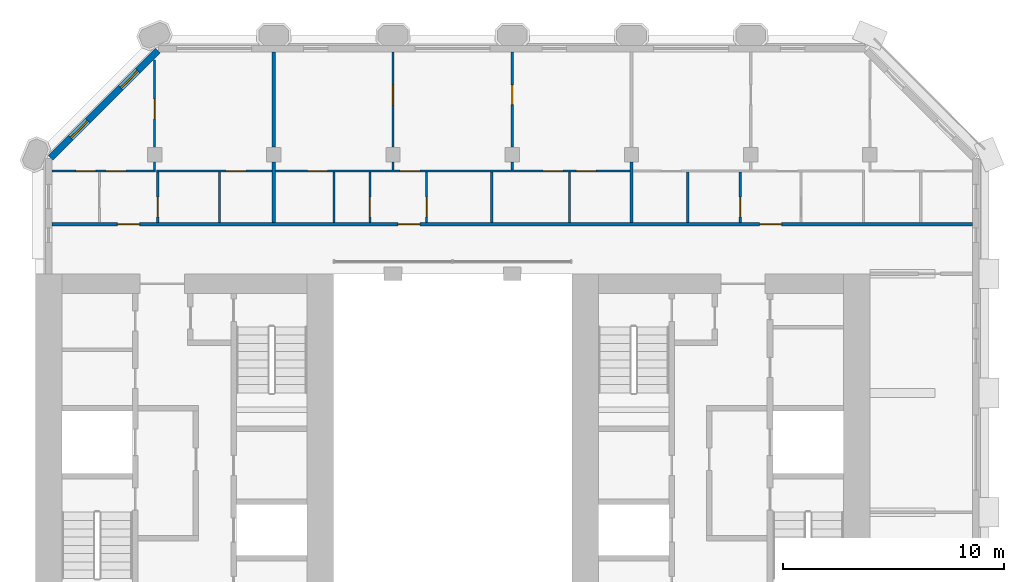
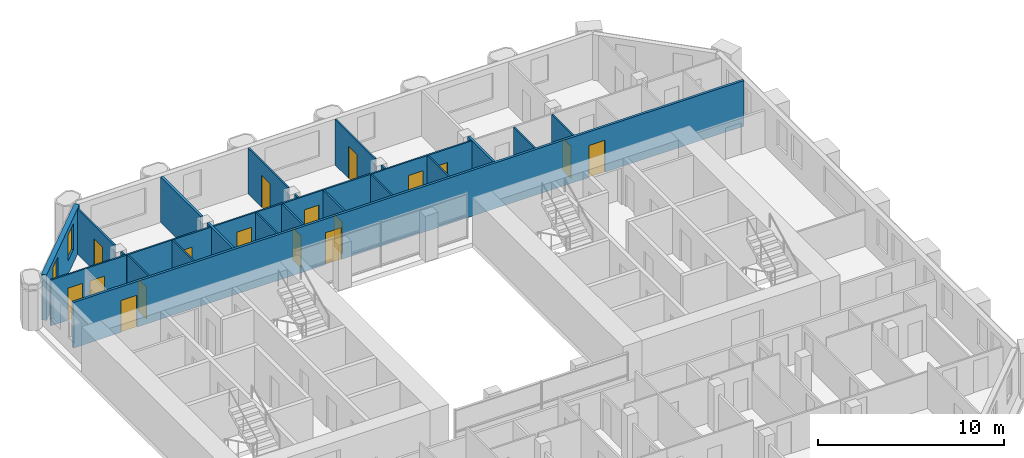
# One storey, part 12 of 16: 23 walls, 17 doors, 2 windows, 19 openings.
"""IFC4 building model written with IfcOpenShell, lengths in metres."""

import ifcopenshell
import ifcopenshell.guid

model = None  # the IFC model being written
_history = None  # IfcOwnerHistory: only IFC2X3 demands one
_inside = {}  # id of a spatial element -> (the spatial element, [elements in it])
_under = {}  # id of a project, library or spatial element -> (it, [spatial elements below it])
_declared = {}  # id of a project -> (the project, [libraries it declares])
_typed = {}  # id of a type object -> (the type object, [elements of that type])
_made_of = {}  # id of a material, layer set ... -> (it, [elements and type objects made of it])


def new_model(schema):
    """Start an empty IFC model of exactly this schema.

    Asked for "IFC4X3", IfcOpenShell would pick the latest addendum, in which some entities
    have other attributes; the version numbers below select the first issue.
    IFC2X3 requires an IfcOwnerHistory on every rooted entity: one is made here for all.
    """
    global model, _history
    if schema == "IFC4X3":
        model = ifcopenshell.file(schema_version=(4, 3, 0, 0))
    else:
        model = ifcopenshell.file(schema=schema)
    _inside.clear()
    _under.clear()
    _declared.clear()
    _typed.clear()
    _made_of.clear()
    _history = None
    if model.schema == "IFC2X3":
        org = make("IfcOrganization", Name="unknown")
        user = make(
            "IfcPersonAndOrganization",
            ThePerson=make("IfcPerson", FamilyName="unknown"),
            TheOrganization=org,
        )
        app = make(
            "IfcApplication",
            ApplicationDeveloper=org,
            Version="unknown",
            ApplicationFullName="unknown",
            ApplicationIdentifier="unknown",
        )
        _history = make(
            "IfcOwnerHistory",
            OwningUser=user,
            OwningApplication=app,
            ChangeAction="ADDED",
            CreationDate=0,
        )
    return model


def make(cls, **values):
    """One entity of the class cls with the attributes given. An attribute that is None is left unset."""
    return model.create_entity(
        cls, **{name: value for name, value in values.items() if value is not None}
    )


def rooted(cls, **values):
    """An entity with a GlobalId (a new one), such as an element, a storey or a relation."""
    return make(cls, GlobalId=ifcopenshell.guid.new(), OwnerHistory=_history, **values)


def si_unit(unit_type, name, prefix=None):
    """IfcSIUnit, for example si_unit("LENGTHUNIT", "METRE", prefix="MILLI")."""
    return make("IfcSIUnit", UnitType=unit_type, Prefix=prefix, Name=name)


def assignment(units):
    """IfcUnitAssignment: the units of a project."""
    return None if units is None else make("IfcUnitAssignment", Units=units)


def point(xyz):
    """IfcCartesianPoint."""
    return None if xyz is None else make("IfcCartesianPoint", Coordinates=xyz)


def direction(xyz):
    """IfcDirection."""
    return None if xyz is None else make("IfcDirection", DirectionRatios=xyz)


def frame(location, z_axis=None, x_axis=None):
    """IfcAxis2Placement3D, a coordinate frame: its origin and axes. An axis left out is left unset."""
    return make(
        "IfcAxis2Placement3D",
        Location=point(location),
        Axis=direction(z_axis),
        RefDirection=direction(x_axis),
    )


def frame_2d(location, x_axis=None):
    """IfcAxis2Placement2D, a coordinate frame in the plane: its origin and x axis."""
    return make(
        "IfcAxis2Placement2D", Location=point(location), RefDirection=direction(x_axis)
    )


def origin():
    """The frame at (0, 0, 0) with its axes left unset."""
    return frame((0.0, 0.0, 0.0))


def place(relative_to, where):
    """IfcLocalPlacement: puts the frame where relative to a parent placement (None: the world)."""
    return make(
        "IfcLocalPlacement", PlacementRelTo=relative_to, RelativePlacement=where
    )


def context(
    kind, dimensions, precision=None, world=None, true_north=None, identifier=None
):
    """IfcGeometricRepresentationContext, for example the 3D "Model" context."""
    return make(
        "IfcGeometricRepresentationContext",
        ContextIdentifier=identifier,
        ContextType=kind,
        CoordinateSpaceDimension=dimensions,
        Precision=precision,
        WorldCoordinateSystem=world,
        TrueNorth=true_north,
    )


def subcontext(parent, identifier, kind, view, scale=None):
    """IfcGeometricRepresentationSubContext, for example "Body" below "Model"."""
    return make(
        "IfcGeometricRepresentationSubContext",
        ContextIdentifier=identifier,
        ContextType=kind,
        ParentContext=parent,
        TargetScale=scale,
        TargetView=view,
    )


def project(units=None, contexts=None):
    """IfcProject with its units and contexts."""
    return rooted(
        "IfcProject",
        Name="project",
        RepresentationContexts=contexts,
        UnitsInContext=assignment(units),
    )


def spatial(cls, under=None, at=None, **own):
    """A site, building, storey or space (cls), placed at a placement, below another one or the project."""
    s = rooted(cls, ObjectPlacement=at, **own)
    if under is not None:
        _under.setdefault(under.id(), (under, []))[1].append(s)
    return s


def profile(cls, at=None, kind="AREA", **sizes):
    """A parametric profile (cls). Its sizes go by their IFC names, for example OverallWidth=200.0."""
    return make(cls, ProfileType=kind, Position=at, **sizes)


def rectangle(**sizes):
    """IfcRectangleProfileDef."""
    return profile("IfcRectangleProfileDef", **sizes)


def extrude(swept, where, along, depth):
    """IfcExtrudedAreaSolid: the profile swept, set in the frame where, extruded along a direction by depth."""
    return make(
        "IfcExtrudedAreaSolid",
        SweptArea=swept,
        Position=where,
        ExtrudedDirection=direction(along),
        Depth=depth,
    )


def shape(context_of_items, identifier, shape_type, items):
    """IfcShapeRepresentation: the items that make up one representation, for example the "Body"."""
    return make(
        "IfcShapeRepresentation",
        ContextOfItems=context_of_items,
        RepresentationIdentifier=identifier,
        RepresentationType=shape_type,
        Items=items,
    )


def material(Name=None, Category=None):
    """IfcMaterial."""
    return make("IfcMaterial", Name=Name, Category=Category)


def layer(
    of_material, thickness, ventilated=None, Name=None, Category=None, Priority=None
):
    """IfcMaterialLayer: one layer of a wall or slab, of a material (None: an air gap)."""
    return make(
        "IfcMaterialLayer",
        Material=of_material,
        LayerThickness=thickness,
        IsVentilated=ventilated,
        Name=Name,
        Category=Category,
        Priority=Priority,
    )


def layer_set(layers, Name=None):
    """IfcMaterialLayerSet."""
    return make("IfcMaterialLayerSet", MaterialLayers=layers, LayerSetName=Name)


def made_of(thing, what):
    """Note that an element or type object is made of a material, layer set ...; save() writes the relation."""
    if what is not None:
        _made_of.setdefault(what.id(), (what, []))[1].append(thing)
    return thing


def type_object(cls, material=None, **own):
    """A type object (cls), such as IfcWallType, which elements share."""
    return made_of(rooted(cls, **own), material)


def element(
    cls,
    number,
    at=None,
    inside=None,
    cuts=None,
    type_object=None,
    material=None,
    context=None,
    identifier="Body",
    shape_type=None,
    held_by="IfcProductDefinitionShape",
    body=None,
    shapes=None,
    **own,
):
    """One element of the class cls, such as IfcWall. Its Tag is "e" and its number.

    at: its placement. inside: the storey or other place that contains it. cuts: it is an
    opening in that element (IfcRelVoidsElement). A single representation is given by context,
    identifier, shape_type and body (its items); several are given by shapes. held_by: the class
    of the entity that holds the representations. save() writes the other relations.
    """
    e = rooted(cls, Tag="e%d" % number, ObjectPlacement=at, **own)
    if body is not None:
        shapes = [shape(context, identifier, shape_type, body)]
    if shapes is not None:
        e.Representation = make(held_by, Representations=shapes)
    if inside is not None:
        _inside.setdefault(inside.id(), (inside, []))[1].append(e)
    if cuts is not None:
        rooted(
            "IfcRelVoidsElement", RelatingBuildingElement=cuts, RelatedOpeningElement=e
        )
    if type_object is not None:
        _typed.setdefault(type_object.id(), (type_object, []))[1].append(e)
    return made_of(e, material)


def fill(opening, filler):
    """IfcRelFillsElement: the door or window that sits in an opening."""
    return rooted(
        "IfcRelFillsElement",
        RelatingOpeningElement=opening,
        RelatedBuildingElement=filler,
    )


def aggregate(whole, parts):
    """IfcRelAggregates: a whole, such as a stair, and the parts it consists of."""
    return rooted("IfcRelAggregates", RelatingObject=whole, RelatedObjects=parts)


def save(model, path):
    """Write the relations noted so far, then the file.

    IfcRelAggregates (storeys below a building ...), IfcRelContainedInSpatialStructure (elements
    in a storey), IfcRelDefinesByType, IfcRelAssociatesMaterial and IfcRelDeclares: one each for
    every whole, place, type object, material and project.
    """
    for whole, parts in _under.values():
        aggregate(whole, parts)
    for where, things in _inside.values():
        rooted(
            "IfcRelContainedInSpatialStructure",
            RelatedElements=things,
            RelatingStructure=where,
        )
    for kind, things in _typed.values():
        rooted("IfcRelDefinesByType", RelatedObjects=things, RelatingType=kind)
    for what, things in _made_of.values():
        rooted("IfcRelAssociatesMaterial", RelatedObjects=things, RelatingMaterial=what)
    for by, libraries in _declared.values():
        rooted("IfcRelDeclares", RelatingContext=by, RelatedDefinitions=libraries)
    model.write(path)


model = new_model("IFC4")

# Units and contexts
model_context = context("Model", 3, precision=1e-05, world=origin(), true_north=direction((0.0, 1.0)))
body_context = subcontext(model_context, "Body", "Model", "MODEL_VIEW")
ifc_project = project(units=[si_unit("LENGTHUNIT", "METRE"), si_unit("AREAUNIT", "SQUARE_METRE"), si_unit("VOLUMEUNIT", "CUBIC_METRE"), si_unit("PLANEANGLEUNIT", "RADIAN"), si_unit("MASSUNIT", "GRAM", prefix="KILO")], contexts=[model_context])

# Site, building, storey
site_placement = place(None, origin())
site = spatial("IfcSite", under=ifc_project, at=site_placement, CompositionType="ELEMENT")
building_placement = place(site_placement, origin())
building = spatial("IfcBuilding", under=site, at=building_placement, Name="Tabaq Tower and Sports Hall", CompositionType="ELEMENT")
storey_placement = place(building_placement, frame((0.0, 0.0, 268.60009765625)))
storey = spatial("IfcBuildingStorey", under=building, at=storey_placement, Name="L65", CompositionType="ELEMENT", Elevation=268.60009765625)

# Wall, openings, doors
ifc_material_1 = material(Name="Gypsum board on steel studs", Category="steel")
ifc_layer_1 = layer(ifc_material_1, 0.10009765625)
ifc_layer_set_1 = layer_set([ifc_layer_1], Name="Partition 100 Gypsum board")
wall_type_1 = type_object("IfcWallType", Name="Partition 100 Gypsum board", PredefinedType="PARTITIONING", material=ifc_layer_set_1)
wall_1_placement = place(storey_placement, frame((6.15087890625, 37.050048828125, 0.0), z_axis=(0.0, 0.0, 1.0), x_axis=(1.0, 0.0, 0.0)))
wall_1 = element("IfcWall", 1, at=wall_1_placement, inside=storey, type_object=wall_type_1, Name="Partition wall L65", PredefinedType="PARTITIONING", context=body_context, shape_type="SweptSolid", body=[
    extrude(rectangle(XDim=4.69921875, YDim=0.10009765625, at=frame_2d((2.349609375, 0.0))), origin(), (0.0, 0.0, 1.0), 3.0),
])
opening_1_placement = place(wall_1_placement, frame((1.0791015625, 0.0, 0.0)))
opening_1 = element("IfcOpeningElement", 2, at=opening_1_placement, cuts=wall_1, Name="Opening L65-032", PredefinedType="OPENING", context=body_context, shape_type="SweptSolid", body=[
    extrude(rectangle(XDim=0.89990234375, YDim=2.10009765625, at=frame_2d((0.449951171875, 1.050048828125))), frame((0.0, 0.050048828125, 0.0), z_axis=(0.0, -1.0, 0.0), x_axis=(1.0, 0.0, 0.0)), (0.0, 0.0, 1.0), 0.10009765625),
])
opening_2_placement = place(wall_1_placement, frame((2.448974609375, 0.0, 0.0)))
opening_2 = element("IfcOpeningElement", 3, at=opening_2_placement, cuts=wall_1, Name="Opening L65-050", PredefinedType="OPENING", context=body_context, shape_type="SweptSolid", body=[
    extrude(rectangle(XDim=0.89990234375, YDim=2.10009765625, at=frame_2d((0.449951171875, 1.050048828125))), frame((0.0, 0.050048828125, 0.0), z_axis=(0.0, -1.0, 0.0), x_axis=(1.0, 0.0, 0.0)), (0.0, 0.0, 1.0), 0.10009765625),
])
ifc_material_2 = material(Name="Timber leaf in steel frame", Category="steel")
door_type_1 = type_object("IfcDoorType", Name="Internal door 900 left hand", OperationType="SINGLE_SWING_LEFT", PredefinedType="DOOR", material=ifc_material_2)
door_1_placement = place(opening_1_placement, origin())
door_1 = element("IfcDoor", 4, at=door_1_placement, inside=storey, type_object=door_type_1, Name="Internal door L65-032", OperationType="SINGLE_SWING_LEFT", OverallHeight=2.10009765625, OverallWidth=0.89990234375, PredefinedType="DOOR", context=body_context, shape_type="SweptSolid", body=[
    extrude(rectangle(XDim=0.89990234375, YDim=2.10009765625, at=frame_2d((0.449951171875, 1.050048828125))), frame((0.0, 0.02490234375, 0.0), z_axis=(0.0, -1.0, 0.0), x_axis=(1.0, 0.0, 0.0)), (0.0, 0.0, 1.0), 0.050048828125),
])
fill(opening_1, door_1)
ifc_material_3 = material(Name="Timber leaf in steel frame", Category="steel")
door_type_2 = type_object("IfcDoorType", Name="Internal door 900 right hand", OperationType="SINGLE_SWING_RIGHT", PredefinedType="DOOR", material=ifc_material_3)
door_2_placement = place(opening_2_placement, origin())
door_2 = element("IfcDoor", 5, at=door_2_placement, inside=storey, type_object=door_type_2, Name="Internal door L65-050", OperationType="SINGLE_SWING_RIGHT", OverallHeight=2.10009765625, OverallWidth=0.89990234375, PredefinedType="DOOR", context=body_context, shape_type="SweptSolid", body=[
    extrude(rectangle(XDim=0.89990234375, YDim=2.10009765625, at=frame_2d((0.449951171875, 1.050048828125))), frame((0.0, 0.02490234375, 0.0), z_axis=(0.0, -1.0, 0.0), x_axis=(1.0, 0.0, 0.0)), (0.0, 0.0, 1.0), 0.050048828125),
])
fill(opening_2, door_2)

# Wall
wall_2_placement = place(storey_placement, frame((10.800048828125, 37.10009765625, 0.0), z_axis=(0.0, 0.0, 1.0), x_axis=(0.0, 1.0, 0.0)))
element("IfcWall", 6, at=wall_2_placement, inside=storey, type_object=wall_type_1, Name="Partition wall L65", PredefinedType="PARTITIONING", context=body_context, shape_type="SweptSolid", body=[
    extrude(rectangle(XDim=0.35498046875, YDim=0.10009765625, at=frame_2d((0.177490234375, 0.0))), origin(), (0.0, 0.0, 1.0), 3.0),
])

# Wall, opening, door
wall_3_placement = place(storey_placement, frame((10.800048828125, 38.14501953125, 0.0), z_axis=(0.0, 0.0, 1.0), x_axis=(0.0, 1.0, 0.0)))
wall_3 = element("IfcWall", 7, at=wall_3_placement, inside=storey, type_object=wall_type_1, Name="Partition wall L65", PredefinedType="PARTITIONING", context=body_context, shape_type="SweptSolid", body=[
    extrude(rectangle(XDim=3.94287109375, YDim=0.10009765625, at=frame_2d((1.971435546875, 0.0))), origin(), (0.0, 0.0, 1.0), 3.0),
])
opening_3_placement = place(wall_3_placement, frame((1.273681640625, 0.0, 0.0)))
opening_3 = element("IfcOpeningElement", 8, at=opening_3_placement, cuts=wall_3, Name="Opening L65-031", PredefinedType="OPENING", context=body_context, shape_type="SweptSolid", body=[
    extrude(rectangle(XDim=0.89990234375, YDim=2.10009765625, at=frame_2d((0.449951171875, 1.050048828125))), frame((0.0, 0.050048828125, 0.0), z_axis=(0.0, -1.0, 0.0), x_axis=(1.0, 0.0, 0.0)), (0.0, 0.0, 1.0), 0.10009765625),
])
door_3_placement = place(opening_3_placement, origin())
door_3 = element("IfcDoor", 9, at=door_3_placement, inside=storey, type_object=door_type_2, Name="Internal door L65-031", OperationType="SINGLE_SWING_RIGHT", OverallHeight=2.10009765625, OverallWidth=0.89990234375, PredefinedType="DOOR", context=body_context, shape_type="SweptSolid", body=[
    extrude(rectangle(XDim=0.89990234375, YDim=2.10009765625, at=frame_2d((0.449951171875, 1.050048828125))), frame((0.0, 0.02490234375, 0.0), z_axis=(0.0, -1.0, 0.0), x_axis=(1.0, 0.0, 0.0)), (0.0, 0.0, 1.0), 0.050048828125),
])
fill(opening_3, door_3)

wall_4_placement = place(storey_placement, frame((10.889892578125, 37.050048828125, 0.0), z_axis=(0.0, 0.0, 1.0), x_axis=(1.0, 0.0, 0.0)))
wall_4 = element("IfcWall", 10, at=wall_4_placement, inside=storey, type_object=wall_type_1, Name="Partition wall L65", PredefinedType="PARTITIONING", context=body_context, shape_type="SweptSolid", body=[
    extrude(rectangle(XDim=5.235107421875, YDim=0.10009765625, at=frame_2d((2.61767578125, 0.0))), origin(), (0.0, 0.0, 1.0), 3.0),
])
opening_4_placement = place(wall_4_placement, frame((3.14990234375, 0.0, 0.0)))
opening_4 = element("IfcOpeningElement", 11, at=opening_4_placement, cuts=wall_4, Name="Opening L65-001", PredefinedType="OPENING", context=body_context, shape_type="SweptSolid", body=[
    extrude(rectangle(XDim=0.89990234375, YDim=2.10009765625, at=frame_2d((0.449951171875, 1.050048828125))), frame((0.0, 0.050048828125, 0.0), z_axis=(0.0, -1.0, 0.0), x_axis=(1.0, 0.0, 0.0)), (0.0, 0.0, 1.0), 0.10009765625),
])
door_4_placement = place(opening_4_placement, origin())
door_4 = element("IfcDoor", 12, at=door_4_placement, inside=storey, type_object=door_type_2, Name="Internal door L65-001", OperationType="SINGLE_SWING_RIGHT", OverallHeight=2.10009765625, OverallWidth=0.89990234375, PredefinedType="DOOR", context=body_context, shape_type="SweptSolid", body=[
    extrude(rectangle(XDim=0.89990234375, YDim=2.10009765625, at=frame_2d((0.449951171875, 1.050048828125))), frame((0.0, 0.02490234375, 0.0), z_axis=(0.0, -1.0, 0.0), x_axis=(1.0, 0.0, 0.0)), (0.0, 0.0, 1.0), 0.050048828125),
])
fill(opening_4, door_4)

wall_5_placement = place(storey_placement, frame((10.93994140625, 34.72509765625, 0.0), z_axis=(0.0, 0.0, 1.0), x_axis=(0.0, 1.0, 0.0)))
wall_5 = element("IfcWall", 13, at=wall_5_placement, inside=storey, type_object=wall_type_1, Name="Partition wall L65", PredefinedType="PARTITIONING", context=body_context, shape_type="SweptSolid", body=[
    extrude(rectangle(XDim=2.27490234375, YDim=0.10009765625, at=frame_2d((1.137451171875, 0.0))), origin(), (0.0, 0.0, 1.0), 3.0),
])
opening_5_placement = place(wall_5_placement, frame((0.25, 0.0, 0.0)))
opening_5 = element("IfcOpeningElement", 14, at=opening_5_placement, cuts=wall_5, Name="Opening L65-002", PredefinedType="OPENING", context=body_context, shape_type="SweptSolid", body=[
    extrude(rectangle(XDim=0.89990234375, YDim=2.10009765625, at=frame_2d((0.449951171875, 1.050048828125))), frame((0.0, 0.050048828125, 0.0), z_axis=(0.0, -1.0, 0.0), x_axis=(1.0, 0.0, 0.0)), (0.0, 0.0, 1.0), 0.10009765625),
])
door_5_placement = place(opening_5_placement, origin())
door_5 = element("IfcDoor", 15, at=door_5_placement, inside=storey, type_object=door_type_1, Name="Internal door L65-002", OperationType="SINGLE_SWING_LEFT", OverallHeight=2.10009765625, OverallWidth=0.89990234375, PredefinedType="DOOR", context=body_context, shape_type="SweptSolid", body=[
    extrude(rectangle(XDim=0.89990234375, YDim=2.10009765625, at=frame_2d((0.449951171875, 1.050048828125))), frame((0.0, 0.02490234375, 0.0), z_axis=(0.0, -1.0, 0.0), x_axis=(1.0, 0.0, 0.0)), (0.0, 0.0, 1.0), 0.050048828125),
])
fill(opening_5, door_5)

# Walls
wall_6_placement = place(storey_placement, frame((13.739990234375, 34.72509765625, 0.0), z_axis=(0.0, 0.0, 1.0), x_axis=(0.0, 1.0, 0.0)))
element("IfcWall", 16, at=wall_6_placement, inside=storey, type_object=wall_type_1, Name="Partition wall L65", PredefinedType="PARTITIONING", context=body_context, shape_type="SweptSolid", body=[
    extrude(rectangle(XDim=2.27490234375, YDim=0.10009765625, at=frame_2d((1.137451171875, 0.0))), origin(), (0.0, 0.0, 1.0), 3.0),
])
wall_7_placement = place(storey_placement, frame((21.60009765625, 37.10009765625, 0.0), z_axis=(0.0, 0.0, 1.0), x_axis=(0.0, 1.0, 0.0)))
element("IfcWall", 17, at=wall_7_placement, inside=storey, type_object=wall_type_1, Name="Partition wall L65", PredefinedType="PARTITIONING", context=body_context, shape_type="SweptSolid", body=[
    extrude(rectangle(XDim=0.35498046875, YDim=0.10009765625, at=frame_2d((0.177490234375, 0.0))), origin(), (0.0, 0.0, 1.0), 3.0),
])

# Wall, opening, door
wall_8_placement = place(storey_placement, frame((21.60009765625, 38.14501953125, 0.0), z_axis=(0.0, 0.0, 1.0), x_axis=(0.0, 1.0, 0.0)))
wall_8 = element("IfcWall", 18, at=wall_8_placement, inside=storey, type_object=wall_type_1, Name="Partition wall L65", PredefinedType="PARTITIONING", context=body_context, shape_type="SweptSolid", body=[
    extrude(rectangle(XDim=4.303955078125, YDim=0.10009765625, at=frame_2d((2.15185546875, 0.0))), origin(), (0.0, 0.0, 1.0), 3.0),
])
opening_6_placement = place(wall_8_placement, frame((1.91796875, 0.0, 0.0)))
opening_6 = element("IfcOpeningElement", 19, at=opening_6_placement, cuts=wall_8, Name="Opening L65-034", PredefinedType="OPENING", context=body_context, shape_type="SweptSolid", body=[
    extrude(rectangle(XDim=0.89990234375, YDim=2.10009765625, at=frame_2d((0.449951171875, 1.050048828125))), frame((0.0, 0.050048828125, 0.0), z_axis=(0.0, -1.0, 0.0), x_axis=(1.0, 0.0, 0.0)), (0.0, 0.0, 1.0), 0.10009765625),
])
door_6_placement = place(opening_6_placement, origin())
door_6 = element("IfcDoor", 20, at=door_6_placement, inside=storey, type_object=door_type_2, Name="Internal door L65-034", OperationType="SINGLE_SWING_RIGHT", OverallHeight=2.10009765625, OverallWidth=0.89990234375, PredefinedType="DOOR", context=body_context, shape_type="SweptSolid", body=[
    extrude(rectangle(XDim=0.89990234375, YDim=2.10009765625, at=frame_2d((0.449951171875, 1.050048828125))), frame((0.0, 0.02490234375, 0.0), z_axis=(0.0, -1.0, 0.0), x_axis=(1.0, 0.0, 0.0)), (0.0, 0.0, 1.0), 0.050048828125),
])
fill(opening_6, door_6)

# Wall
wall_9_placement = place(storey_placement, frame((27.0, 37.10009765625, 0.0), z_axis=(0.0, 0.0, 1.0), x_axis=(0.0, 1.0, 0.0)))
element("IfcWall", 21, at=wall_9_placement, inside=storey, type_object=wall_type_1, Name="Partition wall L65", PredefinedType="PARTITIONING", context=body_context, shape_type="SweptSolid", body=[
    extrude(rectangle(XDim=0.35498046875, YDim=0.10009765625, at=frame_2d((0.177490234375, 0.0))), origin(), (0.0, 0.0, 1.0), 3.0),
])

# Wall, opening, door
wall_10_placement = place(storey_placement, frame((27.0, 38.14501953125, 0.0), z_axis=(0.0, 0.0, 1.0), x_axis=(0.0, 1.0, 0.0)))
wall_10 = element("IfcWall", 22, at=wall_10_placement, inside=storey, type_object=wall_type_1, Name="Partition wall L65", PredefinedType="PARTITIONING", context=body_context, shape_type="SweptSolid", body=[
    extrude(rectangle(XDim=4.303955078125, YDim=0.10009765625, at=frame_2d((2.15185546875, 0.0))), origin(), (0.0, 0.0, 1.0), 3.0),
])
opening_7_placement = place(wall_10_placement, frame((1.91796875, 0.0, 0.0)))
opening_7 = element("IfcOpeningElement", 23, at=opening_7_placement, cuts=wall_10, Name="Opening L65-051", PredefinedType="OPENING", context=body_context, shape_type="SweptSolid", body=[
    extrude(rectangle(XDim=0.89990234375, YDim=2.10009765625, at=frame_2d((0.449951171875, 1.050048828125))), frame((0.0, 0.050048828125, 0.0), z_axis=(0.0, -1.0, 0.0), x_axis=(1.0, 0.0, 0.0)), (0.0, 0.0, 1.0), 0.10009765625),
])
door_7_placement = place(opening_7_placement, origin())
door_7 = element("IfcDoor", 24, at=door_7_placement, inside=storey, type_object=door_type_1, Name="Internal door L65-051", OperationType="SINGLE_SWING_LEFT", OverallHeight=2.10009765625, OverallWidth=0.89990234375, PredefinedType="DOOR", context=body_context, shape_type="SweptSolid", body=[
    extrude(rectangle(XDim=0.89990234375, YDim=2.10009765625, at=frame_2d((0.449951171875, 1.050048828125))), frame((0.0, 0.02490234375, 0.0), z_axis=(0.0, -1.0, 0.0), x_axis=(1.0, 0.0, 0.0)), (0.0, 0.0, 1.0), 0.050048828125),
])
fill(opening_7, door_7)

# Wall, openings, doors
wall_11_placement = place(storey_placement, frame((16.27490234375, 37.050048828125, 0.0), z_axis=(0.0, 0.0, 1.0), x_axis=(1.0, 0.0, 0.0)))
wall_11 = element("IfcWall", 25, at=wall_11_placement, inside=storey, type_object=wall_type_1, Name="Partition wall L65", PredefinedType="PARTITIONING", context=body_context, shape_type="SweptSolid", body=[
    extrude(rectangle(XDim=16.050048828125, YDim=0.10009765625, at=frame_2d((8.02490234375, 0.0))), origin(), (0.0, 0.0, 1.0), 3.0),
])
opening_8_placement = place(wall_11_placement, frame((1.452880859375, 0.0, 0.0)))
opening_8 = element("IfcOpeningElement", 26, at=opening_8_placement, cuts=wall_11, Name="Opening L65-003", PredefinedType="OPENING", context=body_context, shape_type="SweptSolid", body=[
    extrude(rectangle(XDim=0.89990234375, YDim=2.10009765625, at=frame_2d((0.449951171875, 1.050048828125))), frame((0.0, 0.050048828125, 0.0), z_axis=(0.0, -1.0, 0.0), x_axis=(1.0, 0.0, 0.0)), (0.0, 0.0, 1.0), 0.10009765625),
])
opening_9_placement = place(wall_11_placement, frame((12.125, 0.0, 0.0)))
opening_9 = element("IfcOpeningElement", 27, at=opening_9_placement, cuts=wall_11, Name="Opening L65-004", PredefinedType="OPENING", context=body_context, shape_type="SweptSolid", body=[
    extrude(rectangle(XDim=0.89990234375, YDim=2.10009765625, at=frame_2d((0.449951171875, 1.050048828125))), frame((0.0, 0.050048828125, 0.0), z_axis=(0.0, -1.0, 0.0), x_axis=(1.0, 0.0, 0.0)), (0.0, 0.0, 1.0), 0.10009765625),
])
opening_10_placement = place(wall_11_placement, frame((13.625, 0.0, 0.0)))
opening_10 = element("IfcOpeningElement", 28, at=opening_10_placement, cuts=wall_11, Name="Opening L65-005", PredefinedType="OPENING", context=body_context, shape_type="SweptSolid", body=[
    extrude(rectangle(XDim=0.89990234375, YDim=2.10009765625, at=frame_2d((0.449951171875, 1.050048828125))), frame((0.0, 0.050048828125, 0.0), z_axis=(0.0, -1.0, 0.0), x_axis=(1.0, 0.0, 0.0)), (0.0, 0.0, 1.0), 0.10009765625),
])
opening_11_placement = place(wall_11_placement, frame((5.64404296875, 0.0, 0.0)))
opening_11 = element("IfcOpeningElement", 29, at=opening_11_placement, cuts=wall_11, Name="Opening L65-052", PredefinedType="OPENING", context=body_context, shape_type="SweptSolid", body=[
    extrude(rectangle(XDim=0.89990234375, YDim=2.10009765625, at=frame_2d((0.449951171875, 1.050048828125))), frame((0.0, 0.050048828125, 0.0), z_axis=(0.0, -1.0, 0.0), x_axis=(1.0, 0.0, 0.0)), (0.0, 0.0, 1.0), 0.10009765625),
])
door_8_placement = place(opening_8_placement, origin())
door_8 = element("IfcDoor", 30, at=door_8_placement, inside=storey, type_object=door_type_1, Name="Internal door L65-003", OperationType="SINGLE_SWING_LEFT", OverallHeight=2.10009765625, OverallWidth=0.89990234375, PredefinedType="DOOR", context=body_context, shape_type="SweptSolid", body=[
    extrude(rectangle(XDim=0.89990234375, YDim=2.10009765625, at=frame_2d((0.449951171875, 1.050048828125))), frame((0.0, 0.02490234375, 0.0), z_axis=(0.0, -1.0, 0.0), x_axis=(1.0, 0.0, 0.0)), (0.0, 0.0, 1.0), 0.050048828125),
])
fill(opening_8, door_8)
door_9_placement = place(opening_10_placement, origin())
door_9 = element("IfcDoor", 31, at=door_9_placement, inside=storey, type_object=door_type_1, Name="Internal door L65-005", OperationType="SINGLE_SWING_LEFT", OverallHeight=2.10009765625, OverallWidth=0.89990234375, PredefinedType="DOOR", context=body_context, shape_type="SweptSolid", body=[
    extrude(rectangle(XDim=0.89990234375, YDim=2.10009765625, at=frame_2d((0.449951171875, 1.050048828125))), frame((0.0, 0.02490234375, 0.0), z_axis=(0.0, -1.0, 0.0), x_axis=(1.0, 0.0, 0.0)), (0.0, 0.0, 1.0), 0.050048828125),
])
fill(opening_10, door_9)
door_10_placement = place(opening_9_placement, origin())
door_10 = element("IfcDoor", 32, at=door_10_placement, inside=storey, type_object=door_type_2, Name="Internal door L65-004", OperationType="SINGLE_SWING_RIGHT", OverallHeight=2.10009765625, OverallWidth=0.89990234375, PredefinedType="DOOR", context=body_context, shape_type="SweptSolid", body=[
    extrude(rectangle(XDim=0.89990234375, YDim=2.10009765625, at=frame_2d((0.449951171875, 1.050048828125))), frame((0.0, 0.02490234375, 0.0), z_axis=(0.0, -1.0, 0.0), x_axis=(1.0, 0.0, 0.0)), (0.0, 0.0, 1.0), 0.050048828125),
])
fill(opening_9, door_10)
door_11_placement = place(opening_11_placement, origin())
door_11 = element("IfcDoor", 33, at=door_11_placement, inside=storey, type_object=door_type_2, Name="Internal door L65-052", OperationType="SINGLE_SWING_RIGHT", OverallHeight=2.10009765625, OverallWidth=0.89990234375, PredefinedType="DOOR", context=body_context, shape_type="SweptSolid", body=[
    extrude(rectangle(XDim=0.89990234375, YDim=2.10009765625, at=frame_2d((0.449951171875, 1.050048828125))), frame((0.0, 0.02490234375, 0.0), z_axis=(0.0, -1.0, 0.0), x_axis=(1.0, 0.0, 0.0)), (0.0, 0.0, 1.0), 0.050048828125),
])
fill(opening_11, door_11)

# Wall
wall_12_placement = place(storey_placement, frame((18.927978515625, 34.72509765625, 0.0), z_axis=(0.0, 0.0, 1.0), x_axis=(0.0, 1.0, 0.0)))
element("IfcWall", 34, at=wall_12_placement, inside=storey, type_object=wall_type_1, Name="Partition wall L65", PredefinedType="PARTITIONING", context=body_context, shape_type="SweptSolid", body=[
    extrude(rectangle(XDim=2.27490234375, YDim=0.10009765625, at=frame_2d((1.137451171875, 0.0))), origin(), (0.0, 0.0, 1.0), 3.0),
])

# Wall, opening, door
wall_13_placement = place(storey_placement, frame((20.551025390625, 34.72509765625, 0.0), z_axis=(0.0, 0.0, 1.0), x_axis=(0.0, 1.0, 0.0)))
wall_13 = element("IfcWall", 35, at=wall_13_placement, inside=storey, type_object=wall_type_1, Name="Partition wall L65", PredefinedType="PARTITIONING", context=body_context, shape_type="SweptSolid", body=[
    extrude(rectangle(XDim=2.27490234375, YDim=0.10009765625, at=frame_2d((1.137451171875, 0.0))), origin(), (0.0, 0.0, 1.0), 3.0),
])
opening_12_placement = place(wall_13_placement, frame((0.25, 0.0, 0.0)))
opening_12 = element("IfcOpeningElement", 36, at=opening_12_placement, cuts=wall_13, Name="Opening L65-006", PredefinedType="OPENING", context=body_context, shape_type="SweptSolid", body=[
    extrude(rectangle(XDim=0.89990234375, YDim=2.10009765625, at=frame_2d((0.449951171875, 1.050048828125))), frame((0.0, 0.050048828125, 0.0), z_axis=(0.0, -1.0, 0.0), x_axis=(1.0, 0.0, 0.0)), (0.0, 0.0, 1.0), 0.10009765625),
])
door_12_placement = place(opening_12_placement, origin())
door_12 = element("IfcDoor", 37, at=door_12_placement, inside=storey, type_object=door_type_2, Name="Internal door L65-006", OperationType="SINGLE_SWING_RIGHT", OverallHeight=2.10009765625, OverallWidth=0.89990234375, PredefinedType="DOOR", context=body_context, shape_type="SweptSolid", body=[
    extrude(rectangle(XDim=0.89990234375, YDim=2.10009765625, at=frame_2d((0.449951171875, 1.050048828125))), frame((0.0, 0.02490234375, 0.0), z_axis=(0.0, -1.0, 0.0), x_axis=(1.0, 0.0, 0.0)), (0.0, 0.0, 1.0), 0.050048828125),
])
fill(opening_12, door_12)

wall_14_placement = place(storey_placement, frame((23.118896484375, 34.72509765625, 0.0), z_axis=(0.0, 0.0, 1.0), x_axis=(0.0, 1.0, 0.0)))
wall_14 = element("IfcWall", 38, at=wall_14_placement, inside=storey, type_object=wall_type_1, Name="Partition wall L65", PredefinedType="PARTITIONING", context=body_context, shape_type="SweptSolid", body=[
    extrude(rectangle(XDim=2.27490234375, YDim=0.10009765625, at=frame_2d((1.137451171875, 0.0))), origin(), (0.0, 0.0, 1.0), 3.0),
])
opening_13_placement = place(wall_14_placement, frame((0.25, 0.0, 0.0)))
opening_13 = element("IfcOpeningElement", 39, at=opening_13_placement, cuts=wall_14, Name="Opening L65-007", PredefinedType="OPENING", context=body_context, shape_type="SweptSolid", body=[
    extrude(rectangle(XDim=0.89990234375, YDim=2.10009765625, at=frame_2d((0.449951171875, 1.050048828125))), frame((0.0, 0.050048828125, 0.0), z_axis=(0.0, -1.0, 0.0), x_axis=(1.0, 0.0, 0.0)), (0.0, 0.0, 1.0), 0.10009765625),
])
door_13_placement = place(opening_13_placement, origin())
door_13 = element("IfcDoor", 40, at=door_13_placement, inside=storey, type_object=door_type_1, Name="Internal door L65-007", OperationType="SINGLE_SWING_LEFT", OverallHeight=2.10009765625, OverallWidth=0.89990234375, PredefinedType="DOOR", context=body_context, shape_type="SweptSolid", body=[
    extrude(rectangle(XDim=0.89990234375, YDim=2.10009765625, at=frame_2d((0.449951171875, 1.050048828125))), frame((0.0, 0.02490234375, 0.0), z_axis=(0.0, -1.0, 0.0), x_axis=(1.0, 0.0, 0.0)), (0.0, 0.0, 1.0), 0.050048828125),
])
fill(opening_13, door_13)

# Walls
for number, where, z_axis, x_axis, name in (
    (41, (26.069091796875, 34.72509765625, 0.0), (0.0, 0.0, 1.0), (0.0, 1.0, 0.0), "Partition wall L65"),
    (42, (29.60009765625, 34.72509765625, 0.0), (0.0, 0.0, 1.0), (0.0, 1.0, 0.0), "Partition wall L65"),
    (43, (34.949951171875, 34.72509765625, 0.0), (0.0, 0.0, 1.0), (0.0, 1.0, 0.0), "Partition wall L65"),
):
    element("IfcWall", number, at=place(storey_placement, frame(where, z_axis=z_axis, x_axis=x_axis)), inside=storey, type_object=wall_type_1, Name=name, PredefinedType="PARTITIONING", context=body_context, shape_type="SweptSolid", body=[
        extrude(rectangle(XDim=2.27490234375, YDim=0.10009765625, at=frame_2d((1.137451171875, 0.0))), origin(), (0.0, 0.0, 1.0), 3.0),
    ])

# Wall, opening, door
wall_15_placement = place(storey_placement, frame((37.330078125, 34.72509765625, 0.0), z_axis=(0.0, 0.0, 1.0), x_axis=(0.0, 1.0, 0.0)))
wall_15 = element("IfcWall", 44, at=wall_15_placement, inside=storey, type_object=wall_type_1, Name="Partition wall L65", PredefinedType="PARTITIONING", context=body_context, shape_type="SweptSolid", body=[
    extrude(rectangle(XDim=2.27490234375, YDim=0.10009765625, at=frame_2d((1.137451171875, 0.0))), origin(), (0.0, 0.0, 1.0), 3.0),
])
opening_14_placement = place(wall_15_placement, frame((0.25, 0.0, 0.0)))
opening_14 = element("IfcOpeningElement", 45, at=opening_14_placement, cuts=wall_15, Name="Opening L65-011", PredefinedType="OPENING", context=body_context, shape_type="SweptSolid", body=[
    extrude(rectangle(XDim=0.89990234375, YDim=2.10009765625, at=frame_2d((0.449951171875, 1.050048828125))), frame((0.0, 0.050048828125, 0.0), z_axis=(0.0, -1.0, 0.0), x_axis=(1.0, 0.0, 0.0)), (0.0, 0.0, 1.0), 0.10009765625),
])
door_14_placement = place(opening_14_placement, origin())
door_14 = element("IfcDoor", 46, at=door_14_placement, inside=storey, type_object=door_type_1, Name="Internal door L65-011", OperationType="SINGLE_SWING_LEFT", OverallHeight=2.10009765625, OverallWidth=0.89990234375, PredefinedType="DOOR", context=body_context, shape_type="SweptSolid", body=[
    extrude(rectangle(XDim=0.89990234375, YDim=2.10009765625, at=frame_2d((0.449951171875, 1.050048828125))), frame((0.0, 0.02490234375, 0.0), z_axis=(0.0, -1.0, 0.0), x_axis=(1.0, 0.0, 0.0)), (0.0, 0.0, 1.0), 0.050048828125),
])
fill(opening_14, door_14)

# Walls
ifc_material_4 = material(Name="Blockwork", Category="masonry")
ifc_layer_2 = layer(ifc_material_4, 0.14990234375)
ifc_layer_set_2 = layer_set([ifc_layer_2], Name="Separating wall 150 Blockwork")
wall_type_2 = type_object("IfcWallType", Name="Separating wall 150 Blockwork", PredefinedType="PARTITIONING", material=ifc_layer_set_2)
wall_16_placement = place(storey_placement, frame((16.199951171875, 38.14501953125, 0.0), z_axis=(0.0, 0.0, 1.0), x_axis=(0.0, 1.0, 0.0)))
element("IfcWall", 47, at=wall_16_placement, inside=storey, type_object=wall_type_2, Name="Separating wall L65", PredefinedType="PARTITIONING", context=body_context, shape_type="SweptSolid", body=[
    extrude(rectangle(XDim=4.303955078125, YDim=0.14990234375, at=frame_2d((2.15185546875, 0.0))), origin(), (0.0, 0.0, 1.0), 3.0),
])
for number, where, z_axis, x_axis, name in (
    (48, (16.199951171875, 34.72509765625, 0.0), (0.0, 0.0, 1.0), (0.0, 1.0, 0.0), "Separating wall L65"),
    (49, (32.39990234375, 34.72509765625, 0.0), (0.0, 0.0, 1.0), (0.0, 1.0, 0.0), "Separating wall L65"),
):
    element("IfcWall", number, at=place(storey_placement, frame(where, z_axis=z_axis, x_axis=x_axis)), inside=storey, type_object=wall_type_2, Name=name, PredefinedType="PARTITIONING", context=body_context, shape_type="SweptSolid", body=[
        extrude(rectangle(XDim=2.72998046875, YDim=0.14990234375, at=frame_2d((1.364990234375, 0.0))), origin(), (0.0, 0.0, 1.0), 3.0),
    ])

# Wall, openings, doors
wall_17_placement = place(storey_placement, frame((6.15087890625, 34.64990234375, 0.0), z_axis=(0.0, 0.0, 1.0), x_axis=(1.0, 0.0, 0.0)))
wall_17 = element("IfcWall", 50, at=wall_17_placement, inside=storey, type_object=wall_type_2, Name="Separating wall L65", PredefinedType="PARTITIONING", context=body_context, shape_type="SweptSolid", body=[
    extrude(rectangle(XDim=41.6982421875, YDim=0.14990234375, at=frame_2d((20.84912109375, 0.0))), origin(), (0.0, 0.0, 1.0), 3.0),
])
opening_15_placement = place(wall_17_placement, frame((2.968994140625, 0.0, 0.0)))
opening_15 = element("IfcOpeningElement", 51, at=opening_15_placement, cuts=wall_17, Name="Opening L65-059", PredefinedType="OPENING", context=body_context, shape_type="SweptSolid", body=[
    extrude(rectangle(XDim=1.0, YDim=2.10009765625, at=frame_2d((0.5, 1.050048828125))), frame((0.0, 0.074951171875, 0.0), z_axis=(0.0, -1.0, 0.0), x_axis=(1.0, 0.0, 0.0)), (0.0, 0.0, 1.0), 0.14990234375),
])
opening_16_placement = place(wall_17_placement, frame((15.66796875, 0.0, 0.0)))
opening_16 = element("IfcOpeningElement", 52, at=opening_16_placement, cuts=wall_17, Name="Opening L65-060", PredefinedType="OPENING", context=body_context, shape_type="SweptSolid", body=[
    extrude(rectangle(XDim=1.0, YDim=2.10009765625, at=frame_2d((0.5, 1.050048828125))), frame((0.0, 0.074951171875, 0.0), z_axis=(0.0, -1.0, 0.0), x_axis=(1.0, 0.0, 0.0)), (0.0, 0.0, 1.0), 0.14990234375),
])
opening_17_placement = place(wall_17_placement, frame((32.053955078125, 0.0, 0.0)))
opening_17 = element("IfcOpeningElement", 53, at=opening_17_placement, cuts=wall_17, Name="Opening L65-061", PredefinedType="OPENING", context=body_context, shape_type="SweptSolid", body=[
    extrude(rectangle(XDim=1.0, YDim=2.10009765625, at=frame_2d((0.5, 1.050048828125))), frame((0.0, 0.074951171875, 0.0), z_axis=(0.0, -1.0, 0.0), x_axis=(1.0, 0.0, 0.0)), (0.0, 0.0, 1.0), 0.14990234375),
])
ifc_material_5 = material(Name="Steel fire door", Category="steel")
door_type_3 = type_object("IfcDoorType", Name="Entrance door 1000 left hand", OperationType="SINGLE_SWING_LEFT", PredefinedType="DOOR", material=ifc_material_5)
door_15_placement = place(opening_16_placement, origin())
door_15 = element("IfcDoor", 54, at=door_15_placement, inside=storey, type_object=door_type_3, Name="Entrance door L65-060", OperationType="SINGLE_SWING_LEFT", OverallHeight=2.10009765625, OverallWidth=1.0, PredefinedType="DOOR", context=body_context, shape_type="SweptSolid", body=[
    extrude(rectangle(XDim=1.0, YDim=2.10009765625, at=frame_2d((0.5, 1.050048828125))), frame((0.0, 0.02490234375, 0.0), z_axis=(0.0, -1.0, 0.0), x_axis=(1.0, 0.0, 0.0)), (0.0, 0.0, 1.0), 0.050048828125),
])
fill(opening_16, door_15)
ifc_material_6 = material(Name="Steel fire door", Category="steel")
door_type_4 = type_object("IfcDoorType", Name="Entrance door 1000 right hand", OperationType="SINGLE_SWING_RIGHT", PredefinedType="DOOR", material=ifc_material_6)
door_16_placement = place(opening_15_placement, origin())
door_16 = element("IfcDoor", 55, at=door_16_placement, inside=storey, type_object=door_type_4, Name="Entrance door L65-059", OperationType="SINGLE_SWING_RIGHT", OverallHeight=2.10009765625, OverallWidth=1.0, PredefinedType="DOOR", context=body_context, shape_type="SweptSolid", body=[
    extrude(rectangle(XDim=1.0, YDim=2.10009765625, at=frame_2d((0.5, 1.050048828125))), frame((0.0, 0.02490234375, 0.0), z_axis=(0.0, -1.0, 0.0), x_axis=(1.0, 0.0, 0.0)), (0.0, 0.0, 1.0), 0.050048828125),
])
fill(opening_15, door_16)
door_17_placement = place(opening_17_placement, origin())
door_17 = element("IfcDoor", 56, at=door_17_placement, inside=storey, type_object=door_type_4, Name="Entrance door L65-061", OperationType="SINGLE_SWING_RIGHT", OverallHeight=2.10009765625, OverallWidth=1.0, PredefinedType="DOOR", context=body_context, shape_type="SweptSolid", body=[
    extrude(rectangle(XDim=1.0, YDim=2.10009765625, at=frame_2d((0.5, 1.050048828125))), frame((0.0, 0.02490234375, 0.0), z_axis=(0.0, -1.0, 0.0), x_axis=(1.0, 0.0, 0.0)), (0.0, 0.0, 1.0), 0.050048828125),
])
fill(opening_17, door_17)

# Wall, openings, windows
ifc_material_7 = material(Name="White precast concrete C60/75", Category="concrete")
ifc_layer_3 = layer(ifc_material_7, 0.300048828125)
ifc_layer_set_3 = layer_set([ifc_layer_3], Name="White precast concrete C60/75 external wall 300")
wall_type_3 = type_object("IfcWallType", Name="White precast concrete C60/75 external wall 300", PredefinedType="SOLIDWALL", material=ifc_layer_set_3)
wall_18_placement = place(storey_placement, frame((10.949462890625, 42.5009765625, 0.0), z_axis=(0.0, 0.0, 1.0), x_axis=(-0.707106781187, -0.707106781187, 0.0)))
wall_18 = element("IfcWall", 57, at=wall_18_placement, inside=storey, type_object=wall_type_3, Name="External Wall L65 NW", PredefinedType="SOLIDWALL", context=body_context, shape_type="SweptSolid", body=[
    extrude(rectangle(XDim=6.85986328125, YDim=0.300048828125, at=frame_2d((3.429931640625, 0.0))), origin(), (0.0, 0.0, 1.0), 3.0),
])
opening_18_placement = place(wall_18_placement, frame((1.27978515625, 0.0, 0.89990234375)))
opening_18 = element("IfcOpeningElement", 58, at=opening_18_placement, cuts=wall_18, Name="Opening W1B", PredefinedType="OPENING", context=body_context, shape_type="SweptSolid", body=[
    extrude(rectangle(XDim=1.10009765625, YDim=1.699951171875, at=frame_2d((0.550048828125, 0.85009765625))), frame((0.0, 0.16015625, 0.0), z_axis=(0.0, -1.0, 0.0), x_axis=(1.0, 0.0, 0.0)), (0.0, 0.0, 1.0), 0.320068359375),
])
opening_19_placement = place(wall_18_placement, frame((4.479736328125, 0.0, 0.89990234375)))
opening_19 = element("IfcOpeningElement", 59, at=opening_19_placement, cuts=wall_18, Name="Opening W1B", PredefinedType="OPENING", context=body_context, shape_type="SweptSolid", body=[
    extrude(rectangle(XDim=1.10009765625, YDim=1.699951171875, at=frame_2d((0.550048828125, 0.85009765625))), frame((0.0, 0.16015625, 0.0), z_axis=(0.0, -1.0, 0.0), x_axis=(1.0, 0.0, 0.0)), (0.0, 0.0, 1.0), 0.320068359375),
])
ifc_material_8 = material(Name="Aluminium framed clear glazing", Category="aluminium")
window_type = type_object("IfcWindowType", Name="Window W1B", PartitioningType="SINGLE_PANEL", PredefinedType="WINDOW", material=ifc_material_8)
window_1_placement = place(opening_18_placement, origin())
window_1 = element("IfcWindow", 60, at=window_1_placement, inside=storey, type_object=window_type, Name="Window W1B L65", OverallHeight=1.699951171875, OverallWidth=1.10009765625, PartitioningType="SINGLE_PANEL", PredefinedType="WINDOW", context=body_context, shape_type="SweptSolid", body=[
    extrude(rectangle(XDim=1.10009765625, YDim=1.699951171875, at=frame_2d((0.550048828125, 0.85009765625))), frame((0.0, 0.030029296875, 0.0), z_axis=(0.0, -1.0, 0.0), x_axis=(1.0, 0.0, 0.0)), (0.0, 0.0, 1.0), 0.06005859375),
])
fill(opening_18, window_1)
window_2_placement = place(opening_19_placement, origin())
window_2 = element("IfcWindow", 61, at=window_2_placement, inside=storey, type_object=window_type, Name="Window W1B L65", OverallHeight=1.699951171875, OverallWidth=1.10009765625, PartitioningType="SINGLE_PANEL", PredefinedType="WINDOW", context=body_context, shape_type="SweptSolid", body=[
    extrude(rectangle(XDim=1.10009765625, YDim=1.699951171875, at=frame_2d((0.550048828125, 0.85009765625))), frame((0.0, 0.030029296875, 0.0), z_axis=(0.0, -1.0, 0.0), x_axis=(1.0, 0.0, 0.0)), (0.0, 0.0, 1.0), 0.06005859375),
])
fill(opening_19, window_2)

save(model, "model.ifc")
